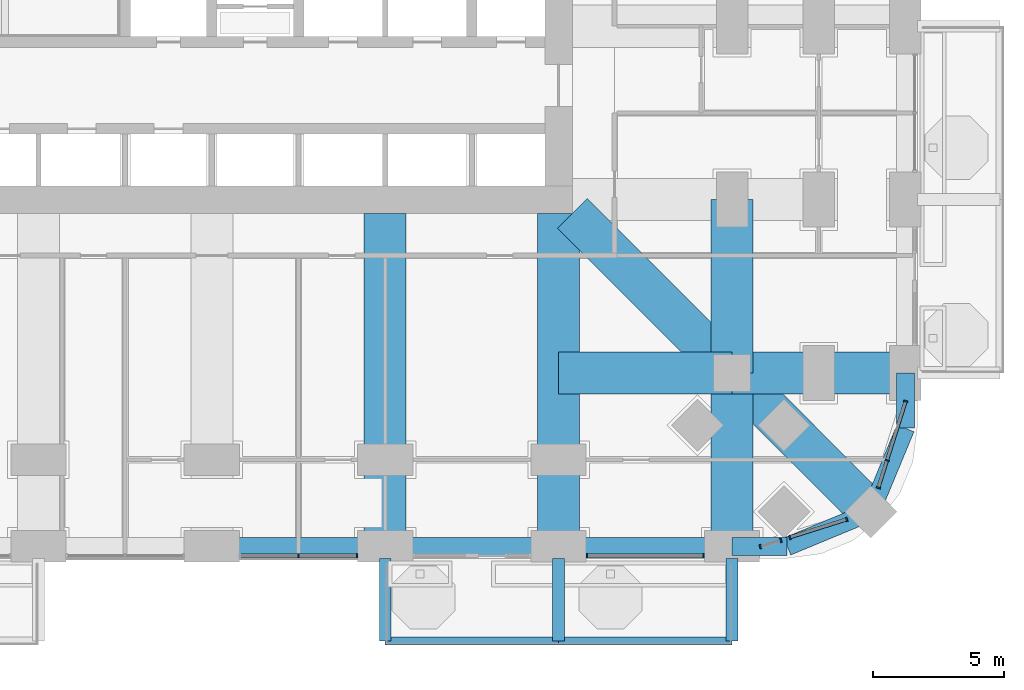
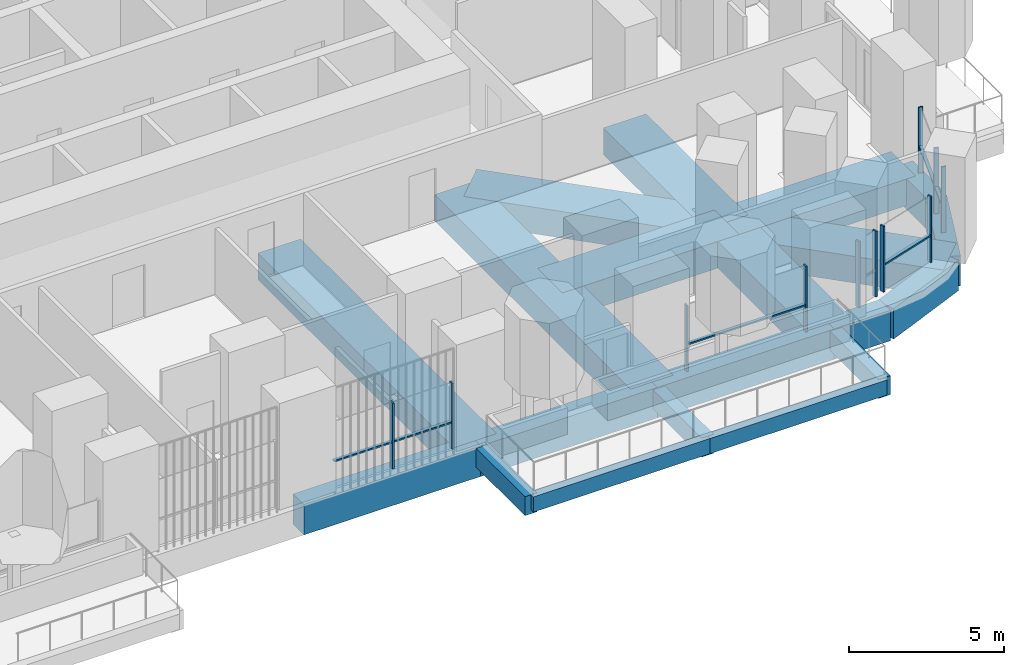
# One storey, part 5 of 27: 20 beams, 17 members, 5 elements without a shape of their own.
"""IFC4 building model written with IfcOpenShell, lengths in metres."""

from ifc_helpers import new_model, si_unit, direction, frame, origin, origin_2d, place, context, subcontext, project, spatial, rectangle, extrude, material, material_profile, profile_set, type_object, element, aggregate, save


model = new_model("IFC4")

# Units and contexts
model_context = context("Model", 3, precision=1e-05, world=origin(), true_north=direction((0.0, 1.0)))
body_context = subcontext(model_context, "Body", "Model", "MODEL_VIEW")
ifc_project = project(units=[si_unit("LENGTHUNIT", "METRE"), si_unit("AREAUNIT", "SQUARE_METRE"), si_unit("VOLUMEUNIT", "CUBIC_METRE"), si_unit("PLANEANGLEUNIT", "RADIAN"), si_unit("MASSUNIT", "GRAM", prefix="KILO")], contexts=[model_context])

# Site, building, storey
site_placement = place(None, origin())
site = spatial("IfcSite", under=ifc_project, at=site_placement, CompositionType="ELEMENT")
building_placement = place(site_placement, origin())
building = spatial("IfcBuilding", under=site, at=building_placement, Name="Cobogo Forest Laboratory Tower", CompositionType="ELEMENT")
storey_placement = place(building_placement, frame((0.0, 0.0, 63.300048828125)))
storey = spatial("IfcBuildingStorey", under=building, at=storey_placement, Name="L14", CompositionType="ELEMENT", Elevation=63.300048828125)

# Beams
ifc_material_1 = material(Name="Concrete HA-40 (C40/50)", Category="concrete")
ifc_material_profile_1 = material_profile(ifc_material_1, rectangle(XDim=0.449951171875, YDim=0.75, at=origin_2d()), Name="RC 450x750")
ifc_profile_set_1 = profile_set([ifc_material_profile_1], Name="Concrete HA-40 (C40/50)")
beam_type_1 = type_object("IfcBeamType", Name="Balcony cantilever beam 450x750", PredefinedType="BEAM", material=ifc_profile_set_1)
for number, where, z_axis, x_axis, name in (
    (1, (33.0, -0.449951171875, -0.625), (0.0, -1.0, 0.0), (1.0, 0.0, 0.0), "CB1 BAL-S2-C1 L14"),
    (2, (39.60009765625, -0.449951171875, -0.625), (0.0, -1.0, 0.0), (1.0, 0.0, 0.0), "CB1 BAL-S2-C2 L14"),
    (3, (46.199951171875, -0.449951171875, -0.625), (0.0, -1.0, 0.0), (1.0, 0.0, 0.0), "CB1 BAL-S2-C3 L14"),
):
    element("IfcBeam", number, at=place(storey_placement, frame(where, z_axis=z_axis, x_axis=x_axis)), inside=storey, type_object=beam_type_1, Name=name, PredefinedType="BEAM", context=body_context, shape_type="SweptSolid", body=[
        extrude(rectangle(XDim=0.449951171875, YDim=0.75, at=origin_2d()), origin(), (0.0, 0.0, 1.0), 3.150146484375),
    ])
ifc_material_profile_2 = material_profile(ifc_material_1, rectangle(XDim=0.300048828125, YDim=0.60009765625, at=origin_2d()), Name="RC 300x600")
ifc_profile_set_2 = profile_set([ifc_material_profile_2], Name="Concrete HA-40 (C40/50)")
beam_type_2 = type_object("IfcBeamType", Name="Balcony edge beam 300x600", PredefinedType="BEAM", material=ifc_profile_set_2)
beam_1_placement = place(storey_placement, frame((33.0, -3.60009765625, -0.550048828125), z_axis=(1.0, 0.0, 0.0), x_axis=(0.0, 1.0, 0.0)))
element("IfcBeam", 4, at=beam_1_placement, inside=storey, type_object=beam_type_2, Name="BB1 BAL-S2-T1 L14", PredefinedType="BEAM", context=body_context, shape_type="SweptSolid", body=[
    extrude(rectangle(XDim=0.300048828125, YDim=0.60009765625, at=origin_2d()), origin(), (0.0, 0.0, 1.0), 6.60009765625),
])
beam_2_placement = place(storey_placement, frame((39.60009765625, -3.60009765625, -0.550048828125), z_axis=(1.0, 0.0, 0.0), x_axis=(0.0, 1.0, 0.0)))
element("IfcBeam", 5, at=beam_2_placement, inside=storey, type_object=beam_type_2, Name="BB1 BAL-S2-T2 L14", PredefinedType="BEAM", context=body_context, shape_type="SweptSolid", body=[
    extrude(rectangle(XDim=0.300048828125, YDim=0.60009765625, at=origin_2d()), origin(), (0.0, 0.0, 1.0), 6.599853515625),
])
ifc_material_2 = material(Name="Concrete HA-50 (C50/60)", Category="concrete")
ifc_material_profile_3 = material_profile(ifc_material_2, rectangle(XDim=1.60009765625, YDim=1.050048828125, at=origin_2d()), Name="RC 1600x1050")
ifc_profile_set_3 = profile_set([ifc_material_profile_3], Name="Concrete HA-50 (C50/60)")
beam_type_3 = type_object("IfcBeamType", Name="Laboratory floor wide beam 1600x1050", PredefinedType="BEAM", material=ifc_profile_set_3)
for number, where, z_axis, x_axis, name in (
    (6, (33.0, 12.675048828125, -0.824951171875), (0.0, -1.0, 0.0), (1.0, 0.0, 0.0), "RB8 R-6-S L14"),
    (7, (39.60009765625, 12.675048828125, -0.824951171875), (0.0, -1.0, 0.0), (1.0, 0.0, 0.0), "RB8 R-7-S L14"),
):
    element("IfcBeam", number, at=place(storey_placement, frame(where, z_axis=z_axis, x_axis=x_axis)), inside=storey, type_object=beam_type_3, Name=name, PredefinedType="BEAM", context=body_context, shape_type="SweptSolid", body=[
        extrude(rectangle(XDim=1.60009765625, YDim=1.050048828125, at=origin_2d()), origin(), (0.0, 0.0, 1.0), 12.675048828125),
    ])
beam_3_placement = place(storey_placement, frame((46.199951171875, 0.0, -0.824951171875), z_axis=(0.0, 1.0, 0.0), x_axis=(-1.0, 0.0, 0.0)))
element("IfcBeam", 8, at=beam_3_placement, inside=storey, type_object=beam_type_3, Name="RB8 G-SE-XF L14", PredefinedType="BEAM", context=body_context, shape_type="SweptSolid", body=[
    extrude(rectangle(XDim=1.60009765625, YDim=1.050048828125, at=origin_2d()), origin(), (0.0, 0.0, 1.0), 6.60009765625),
])
beam_4_placement = place(storey_placement, frame((46.199951171875, 6.60009765625, -0.824951171875), z_axis=(0.0, 1.0, 0.0), x_axis=(-1.0, 0.0, 0.0)))
element("IfcBeam", 9, at=beam_4_placement, inside=storey, type_object=beam_type_3, Name="RB8 G-SE-XC L14", PredefinedType="BEAM", context=body_context, shape_type="SweptSolid", body=[
    extrude(rectangle(XDim=1.60009765625, YDim=1.050048828125, at=origin_2d()), origin(), (0.0, 0.0, 1.0), 6.599853515625),
])
beam_5_placement = place(storey_placement, frame((52.800048828125, 6.60009765625, -0.824951171875), z_axis=(-1.0, 0.0, 0.0), x_axis=(0.0, -1.0, 0.0)))
element("IfcBeam", 10, at=beam_5_placement, inside=storey, type_object=beam_type_3, Name="RB8 G-SE-YF L14", PredefinedType="BEAM", context=body_context, shape_type="SweptSolid", body=[
    extrude(rectangle(XDim=1.60009765625, YDim=1.050048828125, at=origin_2d()), origin(), (0.0, 0.0, 1.0), 6.60009765625),
])
beam_6_placement = place(storey_placement, frame((46.199951171875, 6.60009765625, -0.824951171875), z_axis=(-1.0, 0.0, 0.0), x_axis=(0.0, -1.0, 0.0)))
element("IfcBeam", 11, at=beam_6_placement, inside=storey, type_object=beam_type_3, Name="RB8 G-SE-YC L14", PredefinedType="BEAM", context=body_context, shape_type="SweptSolid", body=[
    extrude(rectangle(XDim=1.60009765625, YDim=1.050048828125, at=origin_2d()), origin(), (0.0, 0.0, 1.0), 6.599853515625),
])
beam_7_placement = place(storey_placement, frame((51.48193359375, 1.318115234375, -0.824951171875), z_axis=(-0.707106781187, 0.707106781187, 0.0), x_axis=(-0.707106781187, -0.707106781187, 0.0)))
element("IfcBeam", 12, at=beam_7_placement, inside=storey, type_object=beam_type_3, Name="RB8 G-SE-D1 L14", PredefinedType="BEAM", context=body_context, shape_type="SweptSolid", body=[
    extrude(rectangle(XDim=1.60009765625, YDim=1.050048828125, at=origin_2d()), origin(), (0.0, 0.0, 1.0), 7.469970703125),
])
beam_8_placement = place(storey_placement, frame((46.199951171875, 6.60009765625, -0.824951171875), z_axis=(-0.707106781187, 0.707106781187, 0.0), x_axis=(-0.707106781187, -0.707106781187, 0.0)))
element("IfcBeam", 13, at=beam_8_placement, inside=storey, type_object=beam_type_3, Name="RB8 G-SE-D2 L14", PredefinedType="BEAM", context=body_context, shape_type="SweptSolid", body=[
    extrude(rectangle(XDim=1.60009765625, YDim=1.050048828125, at=origin_2d()), origin(), (0.0, 0.0, 1.0), 8.59130859375),
])

# Curtain wall, members
ifc_material_3 = material(Name="Aluminium curtain wall", Category="aluminium")
curtain_wall_type = type_object("IfcCurtainWallType", Name="CW-1 unitised curtain wall, clear glazing, laboratory floors zones A and B", PredefinedType="USERDEFINED", material=ifc_material_3)
curtain_wall_1_placement = place(storey_placement, origin())
curtain_wall_1 = element("IfcCurtainWall", 14, at=curtain_wall_1_placement, inside=storey, type_object=curtain_wall_type, Name="Curtain wall 04 L14", ObjectType="UNITISED CURTAIN WALL", PredefinedType="USERDEFINED")
ifc_material_4 = material(Name="Aluminium mullion", Category="aluminium")
ifc_material_profile_4 = material_profile(ifc_material_4, rectangle(XDim=0.06005859375, YDim=0.159912109375, at=origin_2d()), Name="AL 60x160")
ifc_profile_set_4 = profile_set([ifc_material_profile_4], Name="Aluminium mullion")
member_type_1 = type_object("IfcMemberType", Name="MU-1 aluminium mullion 60x160", PredefinedType="MULLION", material=ifc_profile_set_4)
member_1_placement = place(storey_placement, frame((29.699951171875, -0.35009765625, 0.0), z_axis=(0.0, 0.0, 1.0), x_axis=(1.0, 0.0, 0.0)))
member_1 = element("IfcMember", 15, at=member_1_placement, type_object=member_type_1, Name="CW-1 mullion 2", PredefinedType="MULLION", context=body_context, shape_type="SweptSolid", body=[
    extrude(rectangle(XDim=0.06005859375, YDim=0.159912109375, at=origin_2d()), origin(), (0.0, 0.0, 1.0), 2.599853515625),
])
member_2_placement = place(storey_placement, frame((31.919921875, -0.35009765625, 0.0), z_axis=(0.0, 0.0, 1.0), x_axis=(1.0, 0.0, 0.0)))
member_2 = element("IfcMember", 16, at=member_2_placement, type_object=member_type_1, Name="CW-1 mullion 3", PredefinedType="MULLION", context=body_context, shape_type="SweptSolid", body=[
    extrude(rectangle(XDim=0.06005859375, YDim=0.159912109375, at=origin_2d()), origin(), (0.0, 0.0, 1.0), 2.599853515625),
])

curtain_wall_2_placement = place(storey_placement, origin())
curtain_wall_2 = element("IfcCurtainWall", 17, at=curtain_wall_2_placement, inside=storey, type_object=curtain_wall_type, Name="Curtain wall 06 L14", ObjectType="UNITISED CURTAIN WALL", PredefinedType="USERDEFINED")
member_3_placement = place(storey_placement, frame((40.679931640625, -0.35009765625, 0.0), z_axis=(0.0, 0.0, 1.0), x_axis=(1.0, 0.0, 0.0)))
member_3 = element("IfcMember", 18, at=member_3_placement, type_object=member_type_1, Name="CW-1 mullion 1", PredefinedType="MULLION", context=body_context, shape_type="SweptSolid", body=[
    extrude(rectangle(XDim=0.06005859375, YDim=0.159912109375, at=origin_2d()), origin(), (0.0, 0.0, 1.0), 2.599853515625),
])
member_4_placement = place(storey_placement, frame((45.1201171875, -0.35009765625, 0.0), z_axis=(0.0, 0.0, 1.0), x_axis=(1.0, 0.0, 0.0)))
member_4 = element("IfcMember", 19, at=member_4_placement, type_object=member_type_1, Name="CW-1 mullion 2", PredefinedType="MULLION", context=body_context, shape_type="SweptSolid", body=[
    extrude(rectangle(XDim=0.06005859375, YDim=0.159912109375, at=origin_2d()), origin(), (0.0, 0.0, 1.0), 2.599853515625),
])

curtain_wall_3_placement = place(storey_placement, origin())
curtain_wall_3 = element("IfcCurtainWall", 20, at=curtain_wall_3_placement, inside=storey, type_object=curtain_wall_type, Name="Curtain wall 07 L14", ObjectType="UNITISED CURTAIN WALL", PredefinedType="USERDEFINED")
member_5_placement = place(storey_placement, frame((47.278564453125, -0.00927734375, 0.0), z_axis=(0.0, 0.0, 1.0), x_axis=(0.953581504428, 0.301135043481, 0.0)))
member_5 = element("IfcMember", 21, at=member_5_placement, type_object=member_type_1, Name="CW-1 mullion 1", PredefinedType="MULLION", context=body_context, shape_type="SweptSolid", body=[
    extrude(rectangle(XDim=0.06005859375, YDim=0.159912109375, at=origin_2d()), origin(), (0.0, 0.0, 1.0), 2.599853515625),
])
member_6_placement = place(storey_placement, frame((48.05322265625, 0.2353515625, 0.0), z_axis=(0.0, 0.0, 1.0), x_axis=(0.953581504428, 0.301135043481, 0.0)))
member_6 = element("IfcMember", 22, at=member_6_placement, type_object=member_type_1, Name="CW-1 mullion 2", PredefinedType="MULLION", context=body_context, shape_type="SweptSolid", body=[
    extrude(rectangle(XDim=0.06005859375, YDim=0.159912109375, at=origin_2d()), origin(), (0.0, 0.0, 1.0), 2.599853515625),
])
aggregate(curtain_wall_3, [member_5, member_6])

curtain_wall_4_placement = place(storey_placement, origin())
curtain_wall_4 = element("IfcCurtainWall", 23, at=curtain_wall_4_placement, inside=storey, type_object=curtain_wall_type, Name="Curtain wall 08 L14", ObjectType="UNITISED CURTAIN WALL", PredefinedType="USERDEFINED")
member_7_placement = place(storey_placement, frame((48.403076171875, 0.345703125, 0.0), z_axis=(0.0, 0.0, 1.0), x_axis=(0.953581409645, 0.301135343623, 0.0)))
member_7 = element("IfcMember", 24, at=member_7_placement, type_object=member_type_1, Name="CW-1 mullion 1", PredefinedType="MULLION", context=body_context, shape_type="SweptSolid", body=[
    extrude(rectangle(XDim=0.06005859375, YDim=0.159912109375, at=origin_2d()), origin(), (0.0, 0.0, 1.0), 2.599853515625),
])
member_8_placement = place(storey_placement, frame((50.561279296875, 1.02734375, 0.0), z_axis=(0.0, 0.0, 1.0), x_axis=(0.953581409645, 0.301135343623, 0.0)))
member_8 = element("IfcMember", 25, at=member_8_placement, type_object=member_type_1, Name="CW-1 mullion 2", PredefinedType="MULLION", context=body_context, shape_type="SweptSolid", body=[
    extrude(rectangle(XDim=0.06005859375, YDim=0.159912109375, at=origin_2d()), origin(), (0.0, 0.0, 1.0), 2.599853515625),
])

curtain_wall_5_placement = place(storey_placement, origin())
curtain_wall_5 = element("IfcCurtainWall", 26, at=curtain_wall_5_placement, inside=storey, type_object=curtain_wall_type, Name="Curtain wall 09 L14", ObjectType="UNITISED CURTAIN WALL", PredefinedType="USERDEFINED")
member_9_placement = place(storey_placement, frame((51.772705078125, 2.23876953125, 0.0), z_axis=(0.0, 0.0, 1.0), x_axis=(0.30113535792, 0.95358140513, 0.0)))
member_9 = element("IfcMember", 27, at=member_9_placement, type_object=member_type_1, Name="CW-1 mullion 1", PredefinedType="MULLION", context=body_context, shape_type="SweptSolid", body=[
    extrude(rectangle(XDim=0.06005859375, YDim=0.159912109375, at=origin_2d()), origin(), (0.0, 0.0, 1.0), 2.599853515625),
])
member_10_placement = place(storey_placement, frame((52.100341796875, 3.27587890625, 0.0), z_axis=(0.0, 0.0, 1.0), x_axis=(0.30113535792, 0.95358140513, 0.0)))
member_10 = element("IfcMember", 28, at=member_10_placement, type_object=member_type_1, Name="CW-1 mullion 2", PredefinedType="MULLION", context=body_context, shape_type="SweptSolid", body=[
    extrude(rectangle(XDim=0.06005859375, YDim=0.159912109375, at=origin_2d()), origin(), (0.0, 0.0, 1.0), 2.599853515625),
])
member_11_placement = place(storey_placement, frame((52.809326171875, 5.521484375, 0.0), z_axis=(0.0, 0.0, 1.0), x_axis=(0.30113535792, 0.95358140513, 0.0)))
member_11 = element("IfcMember", 29, at=member_11_placement, type_object=member_type_1, Name="CW-1 mullion 3", PredefinedType="MULLION", context=body_context, shape_type="SweptSolid", body=[
    extrude(rectangle(XDim=0.06005859375, YDim=0.159912109375, at=origin_2d()), origin(), (0.0, 0.0, 1.0), 2.599853515625),
])

# Beams
ifc_material_profile_5 = material_profile(ifc_material_1, rectangle(XDim=0.699951171875, YDim=1.199951171875, at=origin_2d()), Name="RC 700x1200")
ifc_profile_set_5 = profile_set([ifc_material_profile_5], Name="Concrete HA-40 (C40/50)")
beam_type_4 = type_object("IfcBeamType", Name="Perimeter edge beam 700x1200", PredefinedType="BEAM", material=ifc_profile_set_5)
for number, where, z_axis, x_axis, name in (
    (30, (26.39990234375, 0.0, -0.900146484375), (1.0, 0.0, 0.0), (0.0, 1.0, 0.0), "EB1 E-S4 L14"),
    (31, (33.0, 0.0, -0.900146484375), (1.0, 0.0, 0.0), (0.0, 1.0, 0.0), "EB1 E-S5 L14"),
):
    element("IfcBeam", number, at=place(storey_placement, frame(where, z_axis=z_axis, x_axis=x_axis)), inside=storey, type_object=beam_type_4, Name=name, PredefinedType="BEAM", context=body_context, shape_type="SweptSolid", body=[
        extrude(rectangle(XDim=0.699951171875, YDim=1.199951171875, at=origin_2d()), origin(), (0.0, 0.0, 1.0), 6.60009765625),
    ])
beam_9_placement = place(storey_placement, frame((39.60009765625, 0.0, -0.900146484375), z_axis=(1.0, 0.0, 0.0), x_axis=(0.0, 1.0, 0.0)))
element("IfcBeam", 32, at=beam_9_placement, inside=storey, type_object=beam_type_4, Name="EB1 E-S6 L14", PredefinedType="BEAM", context=body_context, shape_type="SweptSolid", body=[
    extrude(rectangle(XDim=0.699951171875, YDim=1.199951171875, at=origin_2d()), origin(), (0.0, 0.0, 1.0), 6.599853515625),
])
beam_10_placement = place(storey_placement, frame((46.199951171875, 0.0, -0.900146484375), z_axis=(1.0, 0.0, 0.0), x_axis=(0.0, 1.0, 0.0)))
element("IfcBeam", 33, at=beam_10_placement, inside=storey, type_object=beam_type_4, Name="EB1 E-SES1 L14", PredefinedType="BEAM", context=body_context, shape_type="SweptSolid", body=[
    extrude(rectangle(XDim=0.699951171875, YDim=1.199951171875, at=origin_2d()), origin(), (0.0, 0.0, 1.0), 2.10009765625),
])
beam_11_placement = place(storey_placement, frame((48.300048828125, 0.0, -0.900146484375), z_axis=(0.923865631356, 0.382716990999, 0.0), x_axis=(-0.382716990999, 0.923865631356, 0.0)))
element("IfcBeam", 34, at=beam_11_placement, inside=storey, type_object=beam_type_4, Name="EB1 E-SES2 L14", PredefinedType="BEAM", context=body_context, shape_type="SweptSolid", body=[
    extrude(rectangle(XDim=0.699951171875, YDim=1.199951171875, at=origin_2d()), origin(), (0.0, 0.0, 1.0), 3.444091796875),
])
beam_12_placement = place(storey_placement, frame((52.800048828125, 6.60009765625, -0.900146484375), z_axis=(0.0, -1.0, 0.0), x_axis=(1.0, 0.0, 0.0)))
element("IfcBeam", 35, at=beam_12_placement, inside=storey, type_object=beam_type_4, Name="EB1 E-SEE1 L14", PredefinedType="BEAM", context=body_context, shape_type="SweptSolid", body=[
    extrude(rectangle(XDim=0.699951171875, YDim=1.199951171875, at=origin_2d()), origin(), (0.0, 0.0, 1.0), 2.10009765625),
])
beam_13_placement = place(storey_placement, frame((52.800048828125, 4.5, -0.900146484375), z_axis=(-0.382716990999, -0.923865631356, 0.0), x_axis=(0.923865631356, -0.382716990999, 0.0)))
element("IfcBeam", 36, at=beam_13_placement, inside=storey, type_object=beam_type_4, Name="EB1 E-SEE2 L14", PredefinedType="BEAM", context=body_context, shape_type="SweptSolid", body=[
    extrude(rectangle(XDim=0.699951171875, YDim=1.199951171875, at=origin_2d()), origin(), (0.0, 0.0, 1.0), 3.444091796875),
])

# Member
ifc_material_5 = material(Name="Aluminium transom", Category="aluminium")
ifc_material_profile_6 = material_profile(ifc_material_5, rectangle(XDim=0.1201171875, YDim=0.06005859375, at=origin_2d()), Name="AL 60x120")
ifc_profile_set_6 = profile_set([ifc_material_profile_6], Name="Aluminium transom")
member_type_2 = type_object("IfcMemberType", Name="TR-1 aluminium transom 60x120", PredefinedType="USERDEFINED", material=ifc_profile_set_6)
member_12_placement = place(storey_placement, frame((27.510009765625, -0.35009765625, 1.050048828125), z_axis=(1.0, 0.0, 0.0), x_axis=(0.0, 1.0, 0.0)))
member_12 = element("IfcMember", 37, at=member_12_placement, type_object=member_type_2, Name="CW-1 transom 1.1", ObjectType="TRANSOM", PredefinedType="USERDEFINED", context=body_context, shape_type="SweptSolid", body=[
    extrude(rectangle(XDim=0.1201171875, YDim=0.06005859375, at=origin_2d()), origin(), (0.0, 0.0, 1.0), 2.159912109375),
])

member_13_placement = place(storey_placement, frame((29.72998046875, -0.35009765625, 1.050048828125), z_axis=(1.0, 0.0, 0.0), x_axis=(0.0, 1.0, 0.0)))
member_13 = element("IfcMember", 38, at=member_13_placement, type_object=member_type_2, Name="CW-1 transom 2.1", ObjectType="TRANSOM", PredefinedType="USERDEFINED", context=body_context, shape_type="SweptSolid", body=[
    extrude(rectangle(XDim=0.1201171875, YDim=0.06005859375, at=origin_2d()), origin(), (0.0, 0.0, 1.0), 2.159912109375),
])

aggregate(curtain_wall_1, [member_1, member_2, member_12, member_13])

member_14_placement = place(storey_placement, frame((40.7099609375, -0.35009765625, 1.050048828125), z_axis=(1.0, 0.0, 0.0), x_axis=(0.0, 1.0, 0.0)))
member_14 = element("IfcMember", 39, at=member_14_placement, type_object=member_type_2, Name="CW-1 transom 1.1", ObjectType="TRANSOM", PredefinedType="USERDEFINED", context=body_context, shape_type="SweptSolid", body=[
    extrude(rectangle(XDim=0.1201171875, YDim=0.06005859375, at=origin_2d()), origin(), (0.0, 0.0, 1.0), 4.380126953125),
])

aggregate(curtain_wall_2, [member_3, member_4, member_14])

member_15_placement = place(storey_placement, frame((48.431640625, 0.354736328125, 1.050048828125), z_axis=(0.953572616955, 0.301163185322, 0.0), x_axis=(-0.301163185322, 0.953572616955, 0.0)))
member_15 = element("IfcMember", 40, at=member_15_placement, type_object=member_type_2, Name="CW-1 transom 1.1", ObjectType="TRANSOM", PredefinedType="USERDEFINED", context=body_context, shape_type="SweptSolid", body=[
    extrude(rectangle(XDim=0.1201171875, YDim=0.06005859375, at=origin_2d()), origin(), (0.0, 0.0, 1.0), 2.203369140625),
])

aggregate(curtain_wall_4, [member_7, member_8, member_15])

member_16_placement = place(storey_placement, frame((51.78173828125, 2.267333984375, 1.050048828125), z_axis=(0.301222320394, 0.953553938535, 0.0), x_axis=(-0.953553938535, 0.301222320394, 0.0)))
member_16 = element("IfcMember", 41, at=member_16_placement, type_object=member_type_2, Name="CW-1 transom 1.1", ObjectType="TRANSOM", PredefinedType="USERDEFINED", context=body_context, shape_type="SweptSolid", body=[
    extrude(rectangle(XDim=0.1201171875, YDim=0.06005859375, at=origin_2d()), origin(), (0.0, 0.0, 1.0), 1.02783203125),
])

member_17_placement = place(storey_placement, frame((52.109375, 3.304443359375, 1.050048828125), z_axis=(0.301090633022, 0.953595527835, 0.0), x_axis=(-0.953595527835, 0.301090633022, 0.0)))
member_17 = element("IfcMember", 42, at=member_17_placement, type_object=member_type_2, Name="CW-1 transom 2.1", ObjectType="TRANSOM", PredefinedType="USERDEFINED", context=body_context, shape_type="SweptSolid", body=[
    extrude(rectangle(XDim=0.1201171875, YDim=0.06005859375, at=origin_2d()), origin(), (0.0, 0.0, 1.0), 2.294677734375),
])

aggregate(curtain_wall_5, [member_9, member_10, member_11, member_16, member_17])

save(model, "model.ifc")
